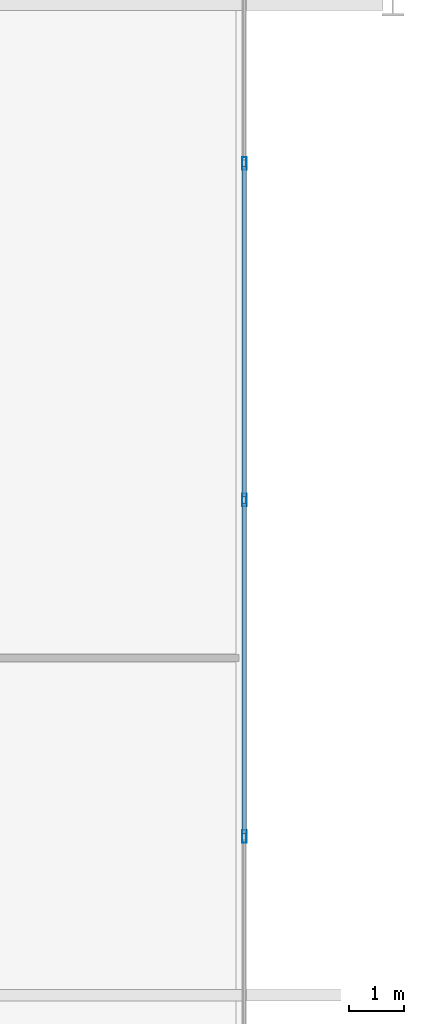
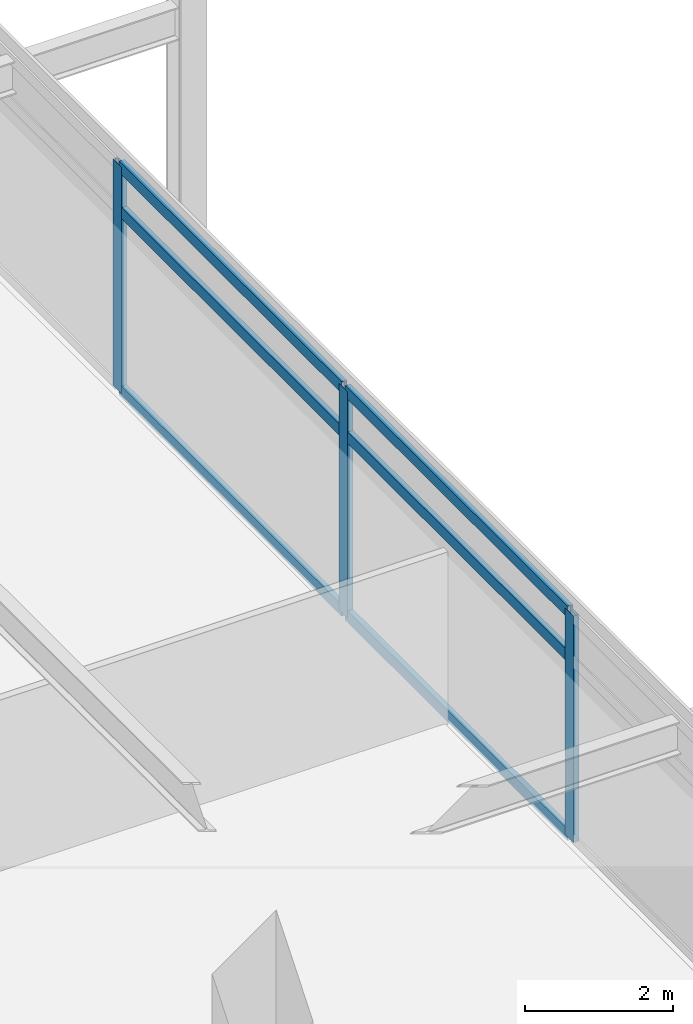
# One storey, part 8 of 20: 9 members, 1 element without a shape of its own.
"""IFC4 building model written with IfcOpenShell, lengths in metres."""

from ifc_helpers import new_model, si_unit, direction, frame, origin, origin_2d, place, context, subcontext, project, spatial, hollow_rectangle, extrude, material, material_profile, profile_set, type_object, element, aggregate, save


model = new_model("IFC4")

# Units and contexts
model_context = context("Model", 3, precision=1e-05, world=origin(), true_north=direction((0.0, 1.0)))
body_context = subcontext(model_context, "Body", "Model", "MODEL_VIEW")
ifc_project = project(units=[si_unit("LENGTHUNIT", "METRE"), si_unit("AREAUNIT", "SQUARE_METRE"), si_unit("VOLUMEUNIT", "CUBIC_METRE"), si_unit("PLANEANGLEUNIT", "RADIAN"), si_unit("MASSUNIT", "GRAM", prefix="KILO")], contexts=[model_context])

# Site, building, storey
site_placement = place(None, origin())
site = spatial("IfcSite", under=ifc_project, at=site_placement, CompositionType="ELEMENT")
building_placement = place(site_placement, origin())
building = spatial("IfcBuilding", under=site, at=building_placement, Name="Kovane Verandah Tower", CompositionType="ELEMENT")
storey_placement = place(building_placement, frame((0.0, 0.0, 322.800048828125)))
storey = spatial("IfcBuildingStorey", under=building, at=storey_placement, Name="L75", CompositionType="ELEMENT", Elevation=322.800048828125)

# Curtain wall, members
ifc_material_1 = material(Name="Champagne Anodised Aluminium Frame with Low-E Clear Laminated Glass", Category="aluminium")
curtain_wall_type = type_object("IfcCurtainWallType", Name="CW-SYS-05-HIGH", PredefinedType="NOTDEFINED", material=ifc_material_1)
curtain_wall_placement = place(storey_placement, origin())
curtain_wall = element("IfcCurtainWall", 1, at=curtain_wall_placement, inside=storey, type_object=curtain_wall_type, Name="L75 E Unitised Curtain Wall", PredefinedType="NOTDEFINED")
ifc_material_2 = material(Name="Champagne Anodised Aluminium 6063-T6", Category="aluminium")
ifc_material_profile_1 = material_profile(ifc_material_2, hollow_rectangle(XDim=0.0849609375, YDim=0.22998046875, WallThickness=0.00390625, at=origin_2d()), Name="AL85x230x4")
ifc_profile_set_1 = profile_set([ifc_material_profile_1], Name="Champagne Anodised Aluminium 6063-T6")
member_type_1 = type_object("IfcMemberType", Name="CW-MUL-85x230", PredefinedType="MULLION", material=ifc_profile_set_1)
member_1_placement = place(storey_placement, frame((64.89990234375, 21.38330078125, 0.02001953125), z_axis=(0.0, 0.0, 1.0), x_axis=(1.0, 0.0, 0.0)))
member_1 = element("IfcMember", 2, at=member_1_placement, type_object=member_type_1, Name="L75 E Unitised Curtain Wall Mullion 3", PredefinedType="MULLION", context=body_context, shape_type="SweptSolid", body=[
    extrude(hollow_rectangle(XDim=0.0849609375, YDim=0.22998046875, WallThickness=0.00390625, at=origin_2d()), origin(), (0.0, 0.0, 1.0), 3.744873046875),
])
member_2_placement = place(storey_placement, frame((64.89990234375, 27.5, 0.02001953125), z_axis=(0.0, 0.0, 1.0), x_axis=(1.0, 0.0, 0.0)))
member_2 = element("IfcMember", 3, at=member_2_placement, type_object=member_type_1, Name="L75 E Unitised Curtain Wall Mullion 4", PredefinedType="MULLION", context=body_context, shape_type="SweptSolid", body=[
    extrude(hollow_rectangle(XDim=0.0849609375, YDim=0.22998046875, WallThickness=0.00390625, at=origin_2d()), origin(), (0.0, 0.0, 1.0), 3.744873046875),
])
member_3_placement = place(storey_placement, frame((64.89990234375, 33.61669921875, 0.02001953125), z_axis=(0.0, 0.0, 1.0), x_axis=(1.0, 0.0, 0.0)))
member_3 = element("IfcMember", 4, at=member_3_placement, type_object=member_type_1, Name="L75 E Unitised Curtain Wall Mullion 5", PredefinedType="MULLION", context=body_context, shape_type="SweptSolid", body=[
    extrude(hollow_rectangle(XDim=0.0849609375, YDim=0.22998046875, WallThickness=0.00390625, at=origin_2d()), origin(), (0.0, 0.0, 1.0), 3.744873046875),
])
ifc_material_profile_2 = material_profile(ifc_material_2, hollow_rectangle(XDim=0.0849609375, YDim=0.18994140625, WallThickness=0.00390625, at=origin_2d()), Name="AL85x190x4")
ifc_profile_set_2 = profile_set([ifc_material_profile_2], Name="Champagne Anodised Aluminium 6063-T6")
member_type_2 = type_object("IfcMemberType", Name="CW-TRN-85x190", PredefinedType="USERDEFINED", material=ifc_profile_set_2)
member_4_placement = place(storey_placement, frame((64.89990234375, 21.433349609375, 0.050048828125), z_axis=(0.0, 1.0, 0.0), x_axis=(-1.0, 0.0, 0.0)))
member_4 = element("IfcMember", 5, at=member_4_placement, type_object=member_type_2, Name="L75 E Unitised Curtain Wall Transom TB Bay 3", ObjectType="TRANSOM", PredefinedType="USERDEFINED", context=body_context, shape_type="SweptSolid", body=[
    extrude(hollow_rectangle(XDim=0.0849609375, YDim=0.18994140625, WallThickness=0.00390625, at=origin_2d()), origin(), (0.0, 0.0, 1.0), 6.0166015625),
])
member_5_placement = place(storey_placement, frame((64.89990234375, 21.433349609375, 3.0048828125), z_axis=(0.0, 1.0, 0.0), x_axis=(-1.0, 0.0, 0.0)))
member_5 = element("IfcMember", 6, at=member_5_placement, type_object=member_type_2, Name="L75 E Unitised Curtain Wall Transom TM Bay 3", ObjectType="TRANSOM", PredefinedType="USERDEFINED", context=body_context, shape_type="SweptSolid", body=[
    extrude(hollow_rectangle(XDim=0.0849609375, YDim=0.18994140625, WallThickness=0.00390625, at=origin_2d()), origin(), (0.0, 0.0, 1.0), 6.0166015625),
])
member_6_placement = place(storey_placement, frame((64.89990234375, 21.433349609375, 3.73486328125), z_axis=(0.0, 1.0, 0.0), x_axis=(-1.0, 0.0, 0.0)))
member_6 = element("IfcMember", 7, at=member_6_placement, type_object=member_type_2, Name="L75 E Unitised Curtain Wall Transom TT Bay 3", ObjectType="TRANSOM", PredefinedType="USERDEFINED", context=body_context, shape_type="SweptSolid", body=[
    extrude(hollow_rectangle(XDim=0.0849609375, YDim=0.18994140625, WallThickness=0.00390625, at=origin_2d()), origin(), (0.0, 0.0, 1.0), 6.0166015625),
])
member_7_placement = place(storey_placement, frame((64.89990234375, 27.550048828125, 0.050048828125), z_axis=(0.0, 1.0, 0.0), x_axis=(-1.0, 0.0, 0.0)))
member_7 = element("IfcMember", 8, at=member_7_placement, type_object=member_type_2, Name="L75 E Unitised Curtain Wall Transom TB Bay 4", ObjectType="TRANSOM", PredefinedType="USERDEFINED", context=body_context, shape_type="SweptSolid", body=[
    extrude(hollow_rectangle(XDim=0.0849609375, YDim=0.18994140625, WallThickness=0.00390625, at=origin_2d()), origin(), (0.0, 0.0, 1.0), 6.0166015625),
])
member_8_placement = place(storey_placement, frame((64.89990234375, 27.550048828125, 3.0048828125), z_axis=(0.0, 1.0, 0.0), x_axis=(-1.0, 0.0, 0.0)))
member_8 = element("IfcMember", 9, at=member_8_placement, type_object=member_type_2, Name="L75 E Unitised Curtain Wall Transom TM Bay 4", ObjectType="TRANSOM", PredefinedType="USERDEFINED", context=body_context, shape_type="SweptSolid", body=[
    extrude(hollow_rectangle(XDim=0.0849609375, YDim=0.18994140625, WallThickness=0.00390625, at=origin_2d()), origin(), (0.0, 0.0, 1.0), 6.0166015625),
])
member_9_placement = place(storey_placement, frame((64.89990234375, 27.550048828125, 3.73486328125), z_axis=(0.0, 1.0, 0.0), x_axis=(-1.0, 0.0, 0.0)))
member_9 = element("IfcMember", 10, at=member_9_placement, type_object=member_type_2, Name="L75 E Unitised Curtain Wall Transom TT Bay 4", ObjectType="TRANSOM", PredefinedType="USERDEFINED", context=body_context, shape_type="SweptSolid", body=[
    extrude(hollow_rectangle(XDim=0.0849609375, YDim=0.18994140625, WallThickness=0.00390625, at=origin_2d()), origin(), (0.0, 0.0, 1.0), 6.0166015625),
])
aggregate(curtain_wall, [member_1, member_2, member_3, member_4, member_5, member_6, member_7, member_8, member_9])

save(model, "model.ifc")
